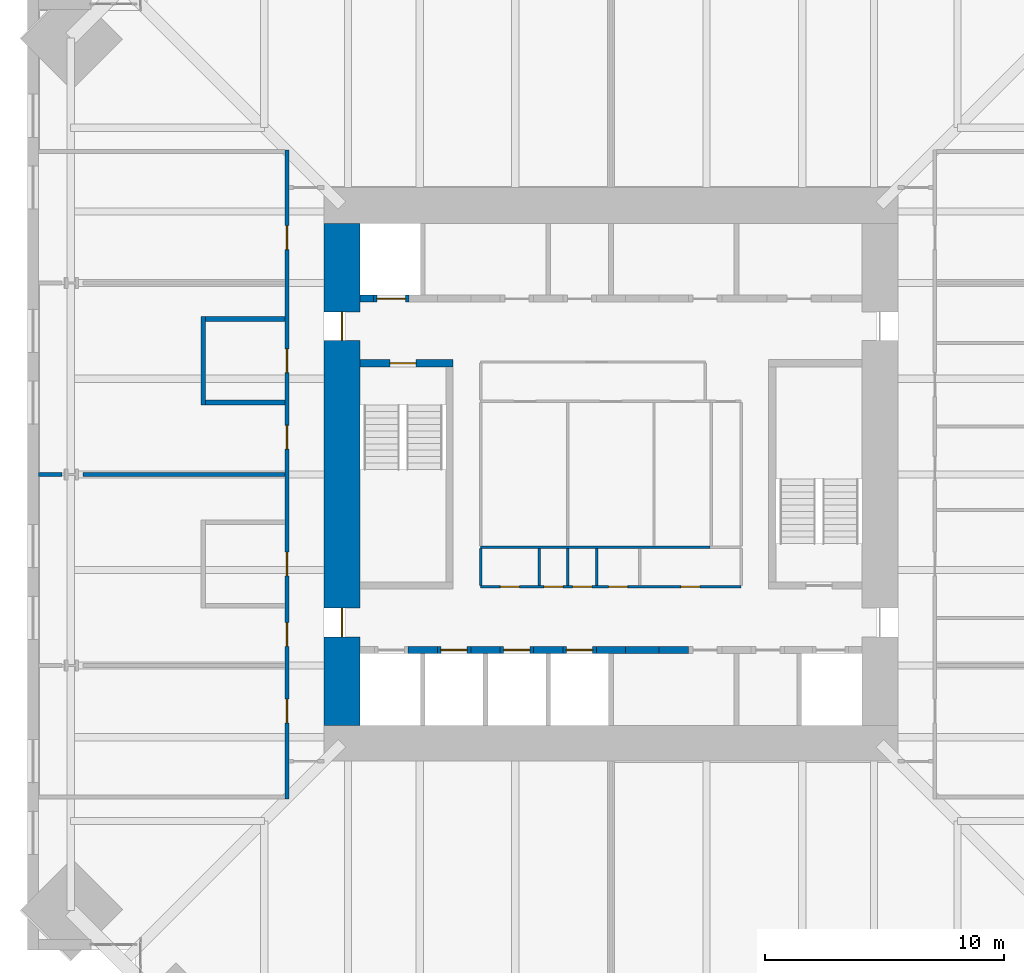
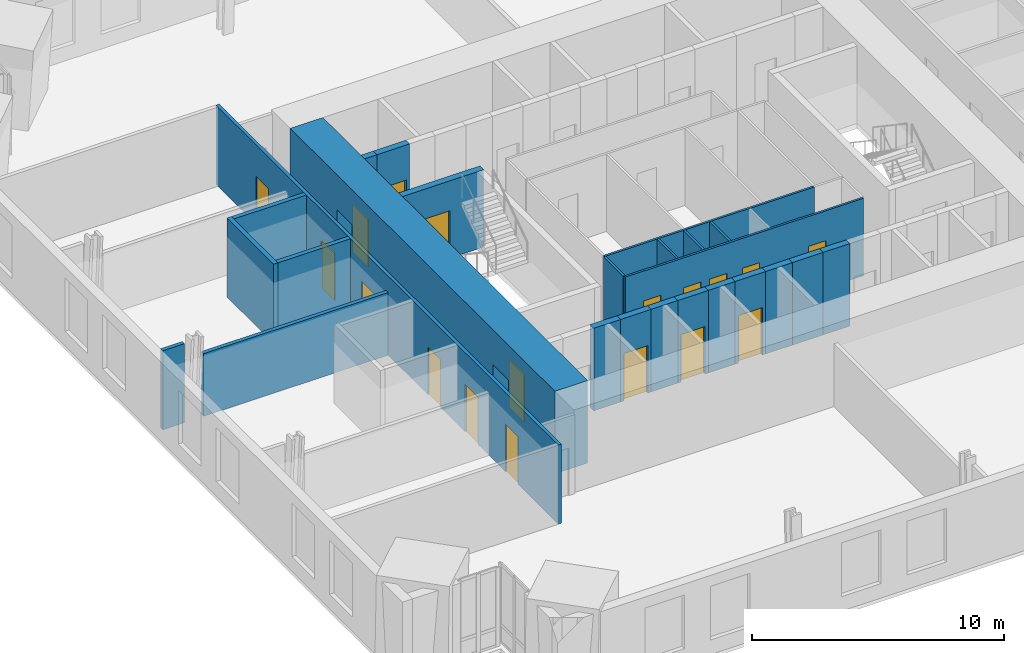
# One storey, part 11 of 15: 25 walls, 18 doors, 18 openings.
"""IFC4 building model written with IfcOpenShell, lengths in metres."""

from ifc_helpers import new_model, si_unit, direction, frame, frame_2d, origin, place, context, subcontext, project, spatial, rectangle, extrude, material, layer, layer_set, type_object, element, fill, save


model = new_model("IFC4")

# Units and contexts
model_context = context("Model", 3, precision=1e-05, world=origin(), true_north=direction((0.0, 1.0)))
body_context = subcontext(model_context, "Body", "Model", "MODEL_VIEW")
ifc_project = project(units=[si_unit("LENGTHUNIT", "METRE"), si_unit("AREAUNIT", "SQUARE_METRE"), si_unit("VOLUMEUNIT", "CUBIC_METRE"), si_unit("PLANEANGLEUNIT", "RADIAN"), si_unit("MASSUNIT", "GRAM", prefix="KILO")], contexts=[model_context])

# Site, building, storey
site_placement = place(None, origin())
site = spatial("IfcSite", under=ifc_project, at=site_placement, CompositionType="ELEMENT")
building_placement = place(site_placement, origin())
building = spatial("IfcBuilding", under=site, at=building_placement, Name="Peilmerk Tower", CompositionType="ELEMENT")
storey_placement = place(building_placement, frame((0.0, 0.0, 205.800048828125)))
storey = spatial("IfcBuildingStorey", under=building, at=storey_placement, Name="L44", CompositionType="ELEMENT", Elevation=205.800048828125)

# Wall, openings, doors
ifc_material_1 = material(Name="Calcium silicate block", Category="masonry")
ifc_layer_1 = layer(ifc_material_1, 0.14990234375)
ifc_layer_set_1 = layer_set([ifc_layer_1], Name="Calcium silicate block")
wall_type_1 = type_object("IfcWallType", Name="IW1 150 corridor partition, EI 60", PredefinedType="PARTITIONING", material=ifc_layer_set_1)
wall_1_placement = place(storey_placement, frame((-13.550048828125, 13.574951171875, 0.0), z_axis=(0.0, 0.0, 1.0), x_axis=(0.0, -1.0, 0.0)))
wall_1 = element("IfcWall", 1, at=wall_1_placement, inside=storey, type_object=wall_type_1, Name="Corridor wall W L44", PredefinedType="PARTITIONING", context=body_context, shape_type="SweptSolid", body=[
    extrude(rectangle(XDim=27.14990234375, YDim=0.14990234375, at=frame_2d((13.574951171875, 0.0))), origin(), (0.0, 0.0, 1.0), 3.829833984375),
])
opening_1_placement = place(wall_1_placement, frame((22.97509765625, 0.0, 0.0)))
opening_1 = element("IfcOpeningElement", 2, at=opening_1_placement, cuts=wall_1, Name="Opening D1", PredefinedType="OPENING", context=body_context, shape_type="SweptSolid", body=[
    extrude(rectangle(XDim=1.0, YDim=2.300048828125, at=frame_2d((0.5, 1.14990234375))), frame((0.0, 0.0849609375, 0.0), z_axis=(0.0, -1.0, 0.0), x_axis=(1.0, 0.0, 0.0)), (0.0, 0.0, 1.0), 0.169921875),
])
opening_2_placement = place(wall_1_placement, frame((19.77490234375, 0.0, 0.0)))
opening_2 = element("IfcOpeningElement", 3, at=opening_2_placement, cuts=wall_1, Name="Opening D1", PredefinedType="OPENING", context=body_context, shape_type="SweptSolid", body=[
    extrude(rectangle(XDim=1.0, YDim=2.300048828125, at=frame_2d((0.5, 1.14990234375))), frame((0.0, 0.0849609375, 0.0), z_axis=(0.0, -1.0, 0.0), x_axis=(1.0, 0.0, 0.0)), (0.0, 0.0, 1.0), 0.169921875),
])
opening_3_placement = place(wall_1_placement, frame((11.52490234375, 0.0, 0.0)))
opening_3 = element("IfcOpeningElement", 4, at=opening_3_placement, cuts=wall_1, Name="Opening D1", PredefinedType="OPENING", context=body_context, shape_type="SweptSolid", body=[
    extrude(rectangle(XDim=1.0, YDim=2.300048828125, at=frame_2d((0.5, 1.14990234375))), frame((0.0, 0.0849609375, 0.0), z_axis=(0.0, -1.0, 0.0), x_axis=(1.0, 0.0, 0.0)), (0.0, 0.0, 1.0), 0.169921875),
])
opening_4_placement = place(wall_1_placement, frame((3.175048828125, 0.0, 0.0)))
opening_4 = element("IfcOpeningElement", 5, at=opening_4_placement, cuts=wall_1, Name="Opening D1", PredefinedType="OPENING", context=body_context, shape_type="SweptSolid", body=[
    extrude(rectangle(XDim=1.0, YDim=2.300048828125, at=frame_2d((0.5, 1.14990234375))), frame((0.0, 0.0849609375, 0.0), z_axis=(0.0, -1.0, 0.0), x_axis=(1.0, 0.0, 0.0)), (0.0, 0.0, 1.0), 0.169921875),
])
opening_5_placement = place(wall_1_placement, frame((16.824951171875, 0.0, 0.0)))
opening_5 = element("IfcOpeningElement", 6, at=opening_5_placement, cuts=wall_1, Name="Opening D1", PredefinedType="OPENING", context=body_context, shape_type="SweptSolid", body=[
    extrude(rectangle(XDim=1.0, YDim=2.300048828125, at=frame_2d((0.5, 1.14990234375))), frame((0.0, 0.0849609375, 0.0), z_axis=(0.0, -1.0, 0.0), x_axis=(1.0, 0.0, 0.0)), (0.0, 0.0, 1.0), 0.169921875),
])
opening_6_placement = place(wall_1_placement, frame((8.324951171875, 0.0, 0.0)))
opening_6 = element("IfcOpeningElement", 7, at=opening_6_placement, cuts=wall_1, Name="Opening D1", PredefinedType="OPENING", context=body_context, shape_type="SweptSolid", body=[
    extrude(rectangle(XDim=1.0, YDim=2.300048828125, at=frame_2d((0.5, 1.14990234375))), frame((0.0, 0.0849609375, 0.0), z_axis=(0.0, -1.0, 0.0), x_axis=(1.0, 0.0, 0.0)), (0.0, 0.0, 1.0), 0.169921875),
])
ifc_material_2 = material(Name="Timber door in steel frame", Category="steel")
door_type_1 = type_object("IfcDoorType", Name="D1 1000x2300 room door, EI2 30", OperationType="SINGLE_SWING_LEFT", PredefinedType="DOOR", material=ifc_material_2)
door_1_placement = place(opening_1_placement, frame((1.0, 0.0, 0.0), z_axis=(0.0, 0.0, 1.0), x_axis=(-1.0, 0.0, 0.0)))
door_1 = element("IfcDoor", 8, at=door_1_placement, inside=storey, type_object=door_type_1, Name="Door Engineering office L44", OperationType="SINGLE_SWING_LEFT", OverallHeight=2.300048828125, OverallWidth=1.0, PredefinedType="DOOR", context=body_context, shape_type="SweptSolid", body=[
    extrude(rectangle(XDim=1.0, YDim=2.300048828125, at=frame_2d((0.5, 1.14990234375))), frame((0.0, 0.02490234375, 0.0), z_axis=(0.0, -1.0, 0.0), x_axis=(1.0, 0.0, 0.0)), (0.0, 0.0, 1.0), 0.050048828125),
])
fill(opening_1, door_1)
door_2_placement = place(opening_2_placement, frame((1.0, 0.0, 0.0), z_axis=(0.0, 0.0, 1.0), x_axis=(-1.0, 0.0, 0.0)))
door_2 = element("IfcDoor", 9, at=door_2_placement, inside=storey, type_object=door_type_1, Name="Door Engineering office L44", OperationType="SINGLE_SWING_LEFT", OverallHeight=2.300048828125, OverallWidth=1.0, PredefinedType="DOOR", context=body_context, shape_type="SweptSolid", body=[
    extrude(rectangle(XDim=1.0, YDim=2.300048828125, at=frame_2d((0.5, 1.14990234375))), frame((0.0, 0.02490234375, 0.0), z_axis=(0.0, -1.0, 0.0), x_axis=(1.0, 0.0, 0.0)), (0.0, 0.0, 1.0), 0.050048828125),
])
fill(opening_2, door_2)
door_3_placement = place(opening_3_placement, frame((1.0, 0.0, 0.0), z_axis=(0.0, 0.0, 1.0), x_axis=(-1.0, 0.0, 0.0)))
door_3 = element("IfcDoor", 10, at=door_3_placement, inside=storey, type_object=door_type_1, Name="Door Engineering office L44", OperationType="SINGLE_SWING_LEFT", OverallHeight=2.300048828125, OverallWidth=1.0, PredefinedType="DOOR", context=body_context, shape_type="SweptSolid", body=[
    extrude(rectangle(XDim=1.0, YDim=2.300048828125, at=frame_2d((0.5, 1.14990234375))), frame((0.0, 0.02490234375, 0.0), z_axis=(0.0, -1.0, 0.0), x_axis=(1.0, 0.0, 0.0)), (0.0, 0.0, 1.0), 0.050048828125),
])
fill(opening_3, door_3)
door_4_placement = place(opening_4_placement, frame((1.0, 0.0, 0.0), z_axis=(0.0, 0.0, 1.0), x_axis=(-1.0, 0.0, 0.0)))
door_4 = element("IfcDoor", 11, at=door_4_placement, inside=storey, type_object=door_type_1, Name="Door Changing room L44", OperationType="SINGLE_SWING_LEFT", OverallHeight=2.300048828125, OverallWidth=1.0, PredefinedType="DOOR", context=body_context, shape_type="SweptSolid", body=[
    extrude(rectangle(XDim=1.0, YDim=2.300048828125, at=frame_2d((0.5, 1.14990234375))), frame((0.0, 0.02490234375, 0.0), z_axis=(0.0, -1.0, 0.0), x_axis=(1.0, 0.0, 0.0)), (0.0, 0.0, 1.0), 0.050048828125),
])
fill(opening_4, door_4)
door_5_placement = place(opening_5_placement, frame((1.0, 0.0, 0.0), z_axis=(0.0, 0.0, 1.0), x_axis=(-1.0, 0.0, 0.0)))
door_5 = element("IfcDoor", 12, at=door_5_placement, inside=storey, type_object=door_type_1, Name="Door Instrument workshop L44", OperationType="SINGLE_SWING_LEFT", OverallHeight=2.300048828125, OverallWidth=1.0, PredefinedType="DOOR", context=body_context, shape_type="SweptSolid", body=[
    extrude(rectangle(XDim=1.0, YDim=2.300048828125, at=frame_2d((0.5, 1.14990234375))), frame((0.0, 0.02490234375, 0.0), z_axis=(0.0, -1.0, 0.0), x_axis=(1.0, 0.0, 0.0)), (0.0, 0.0, 1.0), 0.050048828125),
])
fill(opening_5, door_5)
door_6_placement = place(opening_6_placement, frame((1.0, 0.0, 0.0), z_axis=(0.0, 0.0, 1.0), x_axis=(-1.0, 0.0, 0.0)))
door_6 = element("IfcDoor", 13, at=door_6_placement, inside=storey, type_object=door_type_1, Name="Door Calibration lab L44", OperationType="SINGLE_SWING_LEFT", OverallHeight=2.300048828125, OverallWidth=1.0, PredefinedType="DOOR", context=body_context, shape_type="SweptSolid", body=[
    extrude(rectangle(XDim=1.0, YDim=2.300048828125, at=frame_2d((0.5, 1.14990234375))), frame((0.0, 0.02490234375, 0.0), z_axis=(0.0, -1.0, 0.0), x_axis=(1.0, 0.0, 0.0)), (0.0, 0.0, 1.0), 0.050048828125),
])
fill(opening_6, door_6)

# Walls
ifc_layer_2 = layer(ifc_material_1, 0.199951171875)
ifc_layer_set_2 = layer_set([ifc_layer_2], Name="Calcium silicate block")
wall_type_2 = type_object("IfcWallType", Name="IW2 200 room separating wall, EI 120", PredefinedType="PARTITIONING", material=ifc_layer_set_2)
wall_2_placement = place(storey_placement, frame((-17.050048828125, 2.89990234375, 0.0), z_axis=(0.0, 0.0, 1.0), x_axis=(0.0, 1.0, 0.0)))
element("IfcWall", 14, at=wall_2_placement, inside=storey, type_object=wall_type_2, Name="Room separating wall Calibration lab L44", PredefinedType="PARTITIONING", context=body_context, shape_type="SweptSolid", body=[
    extrude(rectangle(XDim=3.7001953125, YDim=0.199951171875, at=frame_2d((1.85009765625, 0.0))), origin(), (0.0, 0.0, 1.0), 3.829833984375),
])
for number, where, z_axis, x_axis, name in (
    (15, (-13.625, 3.0, 0.0), (0.0, 0.0, 1.0), (-1.0, 0.0, 0.0), "Room separating wall Calibration lab L44"),
    (16, (-13.625, 6.5, 0.0), (0.0, 0.0, 1.0), (-1.0, 0.0, 0.0), "Room separating wall Calibration lab L44"),
):
    element("IfcWall", number, at=place(storey_placement, frame(where, z_axis=z_axis, x_axis=x_axis)), inside=storey, type_object=wall_type_2, Name=name, PredefinedType="PARTITIONING", context=body_context, shape_type="SweptSolid", body=[
        extrude(rectangle(XDim=3.324951171875, YDim=0.199951171875, at=frame_2d((1.66259765625, 0.0))), origin(), (0.0, 0.0, 1.0), 3.829833984375),
    ])

# Wall, opening, door
ifc_material_3 = material(Name="Concrete C35/45", Category="concrete")
ifc_layer_3 = layer(ifc_material_3, 0.300048828125)
ifc_layer_set_3 = layer_set([ifc_layer_3], Name="Concrete C35/45")
wall_type_3 = type_object("IfcWallType", Name="IW3 300 concrete stair enclosure wall, EI 120", PredefinedType="SOLIDWALL", material=ifc_layer_set_3)
wall_3_placement = place(storey_placement, frame((-10.5, 4.64990234375, 0.0), z_axis=(0.0, 0.0, 1.0), x_axis=(1.0, 0.0, 0.0)))
wall_3 = element("IfcWall", 17, at=wall_3_placement, inside=storey, type_object=wall_type_3, Name="Stair 1 enclosure L44", PredefinedType="SOLIDWALL", context=body_context, shape_type="SweptSolid", body=[
    extrude(rectangle(XDim=3.89990234375, YDim=0.300048828125, at=frame_2d((1.949951171875, 0.0))), origin(), (0.0, 0.0, 1.0), 3.75),
])
opening_7_placement = place(wall_3_placement, frame((1.25, 0.0, 0.0)))
opening_7 = element("IfcOpeningElement", 18, at=opening_7_placement, cuts=wall_3, Name="Opening D4", PredefinedType="OPENING", context=body_context, shape_type="SweptSolid", body=[
    extrude(rectangle(XDim=1.10009765625, YDim=2.300048828125, at=frame_2d((0.550048828125, 1.14990234375))), frame((0.0, 0.159912109375, 0.0), z_axis=(0.0, -1.0, 0.0), x_axis=(1.0, 0.0, 0.0)), (0.0, 0.0, 1.0), 0.320068359375),
])
ifc_material_4 = material(Name="Steel door in steel frame", Category="steel")
door_type_2 = type_object("IfcDoorType", Name="D4 1100x2300 stair door, EI2 60", OperationType="SINGLE_SWING_RIGHT", PredefinedType="DOOR", material=ifc_material_4)
door_7_placement = place(opening_7_placement, frame((1.10009765625, 0.0, 0.0), z_axis=(0.0, 0.0, 1.0), x_axis=(-1.0, 0.0, 0.0)))
door_7 = element("IfcDoor", 19, at=door_7_placement, inside=storey, type_object=door_type_2, Name="Stair 1 door L44", OperationType="SINGLE_SWING_RIGHT", OverallHeight=2.300048828125, OverallWidth=1.10009765625, PredefinedType="DOOR", context=body_context, shape_type="SweptSolid", body=[
    extrude(rectangle(XDim=1.10009765625, YDim=2.300048828125, at=frame_2d((0.550048828125, 1.14990234375))), frame((0.0, 0.02490234375, 0.0), z_axis=(0.0, -1.0, 0.0), x_axis=(1.0, 0.0, 0.0)), (0.0, 0.0, 1.0), 0.050048828125),
])
fill(opening_7, door_7)

# Wall
ifc_material_5 = material(Name="Plasterboard on steel studs", Category="steel")
ifc_layer_4 = layer(ifc_material_5, 0.10009765625)
ifc_layer_set_4 = layer_set([ifc_layer_4], Name="Plasterboard on steel studs")
wall_type_4 = type_object("IfcWallType", Name="IW4 100 WC partition", PredefinedType="PARTITIONING", material=ifc_layer_set_4)
wall_4_placement = place(storey_placement, frame((4.14990234375, -3.050048828125, 0.0), z_axis=(0.0, 0.0, 1.0), x_axis=(-1.0, 0.0, 0.0)))
element("IfcWall", 20, at=wall_4_placement, inside=storey, type_object=wall_type_4, Name="WC wall L44", PredefinedType="PARTITIONING", context=body_context, shape_type="SweptSolid", body=[
    extrude(rectangle(XDim=9.599853515625, YDim=0.10009765625, at=frame_2d((4.7998046875, 0.0))), origin(), (0.0, 0.0, 1.0), 3.75),
])

# Wall, openings, doors
ifc_material_6 = material(Name="Calcium silicate board on steel studs", Category="steel")
ifc_layer_5 = layer(ifc_material_6, 0.10009765625)
ifc_layer_set_5 = layer_set([ifc_layer_5], Name="Calcium silicate board on steel studs")
wall_type_5 = type_object("IfcWallType", Name="IW5 100 riser enclosure wall, EI 60", PredefinedType="PARTITIONING", material=ifc_layer_set_5)
wall_5_placement = place(storey_placement, frame((5.449951171875, -4.699951171875, 0.0), z_axis=(0.0, 0.0, 1.0), x_axis=(-1.0, 0.0, 0.0)))
wall_5 = element("IfcWall", 21, at=wall_5_placement, inside=storey, type_object=wall_type_5, Name="Riser wall L44", PredefinedType="PARTITIONING", context=body_context, shape_type="SweptSolid", body=[
    extrude(rectangle(XDim=10.89990234375, YDim=0.10009765625, at=frame_2d((5.449951171875, 0.0))), origin(), (0.0, 0.0, 1.0), 3.75),
])
opening_8_placement = place(wall_5_placement, frame((9.27490234375, 0.0, 0.0)))
opening_8 = element("IfcOpeningElement", 22, at=opening_8_placement, cuts=wall_5, Name="Opening D7", PredefinedType="OPENING", context=body_context, shape_type="SweptSolid", body=[
    extrude(rectangle(XDim=0.800048828125, YDim=2.300048828125, at=frame_2d((0.39990234375, 1.14990234375))), frame((0.0, 0.06005859375, 0.0), z_axis=(0.0, -1.0, 0.0), x_axis=(1.0, 0.0, 0.0)), (0.0, 0.0, 1.0), 0.1201171875),
])
opening_9_placement = place(wall_5_placement, frame((7.449951171875, 0.0, 0.0)))
opening_9 = element("IfcOpeningElement", 23, at=opening_9_placement, cuts=wall_5, Name="Opening D7", PredefinedType="OPENING", context=body_context, shape_type="SweptSolid", body=[
    extrude(rectangle(XDim=0.800048828125, YDim=2.300048828125, at=frame_2d((0.39990234375, 1.14990234375))), frame((0.0, 0.06005859375, 0.0), z_axis=(0.0, -1.0, 0.0), x_axis=(1.0, 0.0, 0.0)), (0.0, 0.0, 1.0), 0.1201171875),
])
opening_10_placement = place(wall_5_placement, frame((6.25, 0.0, 0.0)))
opening_10 = element("IfcOpeningElement", 24, at=opening_10_placement, cuts=wall_5, Name="Opening D7", PredefinedType="OPENING", context=body_context, shape_type="SweptSolid", body=[
    extrude(rectangle(XDim=0.800048828125, YDim=2.300048828125, at=frame_2d((0.39990234375, 1.14990234375))), frame((0.0, 0.06005859375, 0.0), z_axis=(0.0, -1.0, 0.0), x_axis=(1.0, 0.0, 0.0)), (0.0, 0.0, 1.0), 0.1201171875),
])
opening_11_placement = place(wall_5_placement, frame((4.75, 0.0, 0.0)))
opening_11 = element("IfcOpeningElement", 25, at=opening_11_placement, cuts=wall_5, Name="Opening D7", PredefinedType="OPENING", context=body_context, shape_type="SweptSolid", body=[
    extrude(rectangle(XDim=0.800048828125, YDim=2.300048828125, at=frame_2d((0.39990234375, 1.14990234375))), frame((0.0, 0.06005859375, 0.0), z_axis=(0.0, -1.0, 0.0), x_axis=(1.0, 0.0, 0.0)), (0.0, 0.0, 1.0), 0.1201171875),
])
opening_12_placement = place(wall_5_placement, frame((1.72509765625, 0.0, 0.0)))
opening_12 = element("IfcOpeningElement", 26, at=opening_12_placement, cuts=wall_5, Name="Opening D7", PredefinedType="OPENING", context=body_context, shape_type="SweptSolid", body=[
    extrude(rectangle(XDim=0.800048828125, YDim=2.300048828125, at=frame_2d((0.39990234375, 1.14990234375))), frame((0.0, 0.06005859375, 0.0), z_axis=(0.0, -1.0, 0.0), x_axis=(1.0, 0.0, 0.0)), (0.0, 0.0, 1.0), 0.1201171875),
])
door_type_3 = type_object("IfcDoorType", Name="D7 800x2300 riser access door, EI2 60", OperationType="SINGLE_SWING_RIGHT", PredefinedType="DOOR", material=ifc_material_4)
door_8_placement = place(opening_8_placement, frame((0.800048828125, 0.0, 0.0), z_axis=(0.0, 0.0, 1.0), x_axis=(-1.0, 0.0, 0.0)))
door_8 = element("IfcDoor", 27, at=door_8_placement, inside=storey, type_object=door_type_3, Name="Electrical room door L44", OperationType="SINGLE_SWING_RIGHT", OverallHeight=2.300048828125, OverallWidth=0.800048828125, PredefinedType="DOOR", context=body_context, shape_type="SweptSolid", body=[
    extrude(rectangle(XDim=0.800048828125, YDim=2.300048828125, at=frame_2d((0.39990234375, 1.14990234375))), frame((0.0, 0.02490234375, 0.0), z_axis=(0.0, -1.0, 0.0), x_axis=(1.0, 0.0, 0.0)), (0.0, 0.0, 1.0), 0.050048828125),
])
fill(opening_8, door_8)
door_9_placement = place(opening_9_placement, frame((0.800048828125, 0.0, 0.0), z_axis=(0.0, 0.0, 1.0), x_axis=(-1.0, 0.0, 0.0)))
door_9 = element("IfcDoor", 28, at=door_9_placement, inside=storey, type_object=door_type_3, Name="Electrical riser door L44", OperationType="SINGLE_SWING_RIGHT", OverallHeight=2.300048828125, OverallWidth=0.800048828125, PredefinedType="DOOR", context=body_context, shape_type="SweptSolid", body=[
    extrude(rectangle(XDim=0.800048828125, YDim=2.300048828125, at=frame_2d((0.39990234375, 1.14990234375))), frame((0.0, 0.02490234375, 0.0), z_axis=(0.0, -1.0, 0.0), x_axis=(1.0, 0.0, 0.0)), (0.0, 0.0, 1.0), 0.050048828125),
])
fill(opening_9, door_9)
door_10_placement = place(opening_10_placement, frame((0.800048828125, 0.0, 0.0), z_axis=(0.0, 0.0, 1.0), x_axis=(-1.0, 0.0, 0.0)))
door_10 = element("IfcDoor", 29, at=door_10_placement, inside=storey, type_object=door_type_3, Name="Data riser door L44", OperationType="SINGLE_SWING_RIGHT", OverallHeight=2.300048828125, OverallWidth=0.800048828125, PredefinedType="DOOR", context=body_context, shape_type="SweptSolid", body=[
    extrude(rectangle(XDim=0.800048828125, YDim=2.300048828125, at=frame_2d((0.39990234375, 1.14990234375))), frame((0.0, 0.02490234375, 0.0), z_axis=(0.0, -1.0, 0.0), x_axis=(1.0, 0.0, 0.0)), (0.0, 0.0, 1.0), 0.050048828125),
])
fill(opening_10, door_10)
door_11_placement = place(opening_11_placement, frame((0.800048828125, 0.0, 0.0), z_axis=(0.0, 0.0, 1.0), x_axis=(-1.0, 0.0, 0.0)))
door_11 = element("IfcDoor", 30, at=door_11_placement, inside=storey, type_object=door_type_3, Name="Cleaner's cupboard door L44", OperationType="SINGLE_SWING_RIGHT", OverallHeight=2.300048828125, OverallWidth=0.800048828125, PredefinedType="DOOR", context=body_context, shape_type="SweptSolid", body=[
    extrude(rectangle(XDim=0.800048828125, YDim=2.300048828125, at=frame_2d((0.39990234375, 1.14990234375))), frame((0.0, 0.02490234375, 0.0), z_axis=(0.0, -1.0, 0.0), x_axis=(1.0, 0.0, 0.0)), (0.0, 0.0, 1.0), 0.050048828125),
])
fill(opening_11, door_11)
door_12_placement = place(opening_12_placement, frame((0.800048828125, 0.0, 0.0), z_axis=(0.0, 0.0, 1.0), x_axis=(-1.0, 0.0, 0.0)))
door_12 = element("IfcDoor", 31, at=door_12_placement, inside=storey, type_object=door_type_3, Name="Comms room door L44", OperationType="SINGLE_SWING_RIGHT", OverallHeight=2.300048828125, OverallWidth=0.800048828125, PredefinedType="DOOR", context=body_context, shape_type="SweptSolid", body=[
    extrude(rectangle(XDim=0.800048828125, YDim=2.300048828125, at=frame_2d((0.39990234375, 1.14990234375))), frame((0.0, 0.02490234375, 0.0), z_axis=(0.0, -1.0, 0.0), x_axis=(1.0, 0.0, 0.0)), (0.0, 0.0, 1.0), 0.050048828125),
])
fill(opening_12, door_12)

# Walls
for number, where, z_axis, x_axis, name in (
    (32, (-5.449951171875, -3.10009765625, 0.0), (0.0, 0.0, 1.0), (0.0, -1.0, 0.0), "Riser wall L44"),
    (33, (-3.0, -3.10009765625, 0.0), (0.0, 0.0, 1.0), (0.0, -1.0, 0.0), "Riser wall L44"),
    (34, (-1.800048828125, -3.10009765625, 0.0), (0.0, 0.0, 1.0), (0.0, -1.0, 0.0), "Riser wall L44"),
    (35, (-0.60009765625, -3.10009765625, 0.0), (0.0, 0.0, 1.0), (0.0, -1.0, 0.0), "Riser wall L44"),
):
    element("IfcWall", number, at=place(storey_placement, frame(where, z_axis=z_axis, x_axis=x_axis)), inside=storey, type_object=wall_type_5, Name=name, PredefinedType="PARTITIONING", context=body_context, shape_type="SweptSolid", body=[
        extrude(rectangle(XDim=1.5498046875, YDim=0.10009765625, at=frame_2d((0.77490234375, 0.0))), origin(), (0.0, 0.0, 1.0), 3.75),
    ])
ifc_layer_6 = layer(ifc_material_1, 0.175048828125)
ifc_layer_set_6 = layer_set([ifc_layer_6], Name="Calcium silicate block")
wall_type_6 = type_object("IfcWallType", Name="IW8 175 tenant separating wall, EI 60", PredefinedType="PARTITIONING", material=ifc_layer_set_6)
wall_6_placement = place(storey_placement, frame((-13.625, 0.0, 0.0), z_axis=(0.0, 0.0, 1.0), x_axis=(-1.0, 0.0, 0.0)))
element("IfcWall", 36, at=wall_6_placement, inside=storey, type_object=wall_type_6, Name="Tenant separating wall W2 L44", PredefinedType="PARTITIONING", context=body_context, shape_type="SweptSolid", body=[
    extrude(rectangle(XDim=8.4482421875, YDim=0.175048828125, at=frame_2d((4.22412109375, 0.0))), origin(), (0.0, 0.0, 1.0), 3.0400390625),
])
wall_7_placement = place(storey_placement, frame((-22.96240234375, 0.0, 0.0), z_axis=(0.0, 0.0, 1.0), x_axis=(-1.0, 0.0, 0.0)))
element("IfcWall", 37, at=wall_7_placement, inside=storey, type_object=wall_type_6, Name="Tenant separating wall W2b L44", PredefinedType="PARTITIONING", context=body_context, shape_type="SweptSolid", body=[
    extrude(rectangle(XDim=0.987548828125, YDim=0.175048828125, at=frame_2d((0.49365234375, 0.0))), origin(), (0.0, 0.0, 1.0), 3.829833984375),
])

# Wall, opening, door
ifc_layer_7 = layer(ifc_material_1, 0.300048828125)
ifc_layer_set_7 = layer_set([ifc_layer_7], Name="Calcium silicate block")
wall_type_7 = type_object("IfcWallType", Name="SH2 300 lift landing door panel, EI 120", PredefinedType="PARTITIONING", material=ifc_layer_set_7)
wall_8_placement = place(storey_placement, frame((-9.9375, 7.35009765625, 0.0), z_axis=(0.0, 0.0, 1.0), x_axis=(1.0, 0.0, 0.0)))
wall_8 = element("IfcWall", 38, at=wall_8_placement, inside=storey, type_object=wall_type_7, Name="Lift door panel N FL1 L44", PredefinedType="PARTITIONING", context=body_context, shape_type="SweptSolid", body=[
    extrude(rectangle(XDim=1.5, YDim=0.300048828125, at=frame_2d((0.75, 0.0))), origin(), (0.0, 0.0, 1.0), 4.0),
])
opening_13_placement = place(wall_8_placement, frame((0.14990234375, 0.0, 0.0)))
opening_13 = element("IfcOpeningElement", 39, at=opening_13_placement, cuts=wall_8, Name="Opening LD2", PredefinedType="OPENING", context=body_context, shape_type="SweptSolid", body=[
    extrude(rectangle(XDim=1.199951171875, YDim=2.300048828125, at=frame_2d((0.60009765625, 1.14990234375))), frame((0.0, 0.159912109375, 0.0), z_axis=(0.0, -1.0, 0.0), x_axis=(1.0, 0.0, 0.0)), (0.0, 0.0, 1.0), 0.320068359375),
])
ifc_material_7 = material(Name="Stainless steel landing door", Category="steel")
door_type_4 = type_object("IfcDoorType", Name="LD2 1200x2300 lift landing door, sliding, EI2 60", OperationType="SLIDING_TO_LEFT", PredefinedType="DOOR", material=ifc_material_7)
door_13_placement = place(opening_13_placement, frame((1.199951171875, 0.0, 0.0), z_axis=(0.0, 0.0, 1.0), x_axis=(-1.0, 0.0, 0.0)))
door_13 = element("IfcDoor", 40, at=door_13_placement, inside=storey, type_object=door_type_4, Name="Lift landing door FL1 L44", OperationType="SLIDING_TO_LEFT", OverallHeight=2.300048828125, OverallWidth=1.199951171875, PredefinedType="DOOR", context=body_context, shape_type="SweptSolid", body=[
    extrude(rectangle(XDim=1.199951171875, YDim=2.300048828125, at=frame_2d((0.60009765625, 1.14990234375))), frame((0.0, 0.02490234375, 0.0), z_axis=(0.0, -1.0, 0.0), x_axis=(1.0, 0.0, 0.0)), (0.0, 0.0, 1.0), 0.050048828125),
])
fill(opening_13, door_13)

wall_9_placement = place(storey_placement, frame((-7.262451171875, -7.35009765625, 0.0), z_axis=(0.0, 0.0, 1.0), x_axis=(1.0, 0.0, 0.0)))
wall_9 = element("IfcWall", 41, at=wall_9_placement, inside=storey, type_object=wall_type_7, Name="Lift door panel S C3 L44", PredefinedType="PARTITIONING", context=body_context, shape_type="SweptSolid", body=[
    extrude(rectangle(XDim=1.39990234375, YDim=0.300048828125, at=frame_2d((0.699951171875, 0.0))), origin(), (0.0, 0.0, 1.0), 4.0),
])
opening_14_placement = place(wall_9_placement, frame((0.14990234375, 0.0, 0.0)))
opening_14 = element("IfcOpeningElement", 42, at=opening_14_placement, cuts=wall_9, Name="Opening LD1", PredefinedType="OPENING", context=body_context, shape_type="SweptSolid", body=[
    extrude(rectangle(XDim=1.10009765625, YDim=2.300048828125, at=frame_2d((0.550048828125, 1.14990234375))), frame((0.0, 0.159912109375, 0.0), z_axis=(0.0, -1.0, 0.0), x_axis=(1.0, 0.0, 0.0)), (0.0, 0.0, 1.0), 0.320068359375),
])
door_type_5 = type_object("IfcDoorType", Name="LD1 1100x2300 lift landing door, sliding, EI2 60", OperationType="SLIDING_TO_LEFT", PredefinedType="DOOR", material=ifc_material_7)
door_14_placement = place(opening_14_placement, origin())
door_14 = element("IfcDoor", 43, at=door_14_placement, inside=storey, type_object=door_type_5, Name="Lift landing door C3 L44", OperationType="SLIDING_TO_LEFT", OverallHeight=2.300048828125, OverallWidth=1.10009765625, PredefinedType="DOOR", context=body_context, shape_type="SweptSolid", body=[
    extrude(rectangle(XDim=1.10009765625, YDim=2.300048828125, at=frame_2d((0.550048828125, 1.14990234375))), frame((0.0, 0.02490234375, 0.0), z_axis=(0.0, -1.0, 0.0), x_axis=(1.0, 0.0, 0.0)), (0.0, 0.0, 1.0), 0.050048828125),
])
fill(opening_14, door_14)

wall_10_placement = place(storey_placement, frame((-4.637451171875, -7.35009765625, 0.0), z_axis=(0.0, 0.0, 1.0), x_axis=(1.0, 0.0, 0.0)))
wall_10 = element("IfcWall", 44, at=wall_10_placement, inside=storey, type_object=wall_type_7, Name="Lift door panel S C2 L44", PredefinedType="PARTITIONING", context=body_context, shape_type="SweptSolid", body=[
    extrude(rectangle(XDim=1.39990234375, YDim=0.300048828125, at=frame_2d((0.699951171875, 0.0))), origin(), (0.0, 0.0, 1.0), 4.0),
])
opening_15_placement = place(wall_10_placement, frame((0.14990234375, 0.0, 0.0)))
opening_15 = element("IfcOpeningElement", 45, at=opening_15_placement, cuts=wall_10, Name="Opening LD1", PredefinedType="OPENING", context=body_context, shape_type="SweptSolid", body=[
    extrude(rectangle(XDim=1.10009765625, YDim=2.300048828125, at=frame_2d((0.550048828125, 1.14990234375))), frame((0.0, 0.159912109375, 0.0), z_axis=(0.0, -1.0, 0.0), x_axis=(1.0, 0.0, 0.0)), (0.0, 0.0, 1.0), 0.320068359375),
])
door_15_placement = place(opening_15_placement, origin())
door_15 = element("IfcDoor", 46, at=door_15_placement, inside=storey, type_object=door_type_5, Name="Lift landing door C2 L44", OperationType="SLIDING_TO_LEFT", OverallHeight=2.300048828125, OverallWidth=1.10009765625, PredefinedType="DOOR", context=body_context, shape_type="SweptSolid", body=[
    extrude(rectangle(XDim=1.10009765625, YDim=2.300048828125, at=frame_2d((0.550048828125, 1.14990234375))), frame((0.0, 0.02490234375, 0.0), z_axis=(0.0, -1.0, 0.0), x_axis=(1.0, 0.0, 0.0)), (0.0, 0.0, 1.0), 0.050048828125),
])
fill(opening_15, door_15)

wall_11_placement = place(storey_placement, frame((-2.012451171875, -7.35009765625, 0.0), z_axis=(0.0, 0.0, 1.0), x_axis=(1.0, 0.0, 0.0)))
wall_11 = element("IfcWall", 47, at=wall_11_placement, inside=storey, type_object=wall_type_7, Name="Lift door panel S C1 L44", PredefinedType="PARTITIONING", context=body_context, shape_type="SweptSolid", body=[
    extrude(rectangle(XDim=1.39990234375, YDim=0.300048828125, at=frame_2d((0.699951171875, 0.0))), origin(), (0.0, 0.0, 1.0), 4.0),
])
opening_16_placement = place(wall_11_placement, frame((0.14990234375, 0.0, 0.0)))
opening_16 = element("IfcOpeningElement", 48, at=opening_16_placement, cuts=wall_11, Name="Opening LD1", PredefinedType="OPENING", context=body_context, shape_type="SweptSolid", body=[
    extrude(rectangle(XDim=1.10009765625, YDim=2.300048828125, at=frame_2d((0.550048828125, 1.14990234375))), frame((0.0, 0.159912109375, 0.0), z_axis=(0.0, -1.0, 0.0), x_axis=(1.0, 0.0, 0.0)), (0.0, 0.0, 1.0), 0.320068359375),
])
door_16_placement = place(opening_16_placement, origin())
door_16 = element("IfcDoor", 49, at=door_16_placement, inside=storey, type_object=door_type_5, Name="Lift landing door C1 L44", OperationType="SLIDING_TO_LEFT", OverallHeight=2.300048828125, OverallWidth=1.10009765625, PredefinedType="DOOR", context=body_context, shape_type="SweptSolid", body=[
    extrude(rectangle(XDim=1.10009765625, YDim=2.300048828125, at=frame_2d((0.550048828125, 1.14990234375))), frame((0.0, 0.02490234375, 0.0), z_axis=(0.0, -1.0, 0.0), x_axis=(1.0, 0.0, 0.0)), (0.0, 0.0, 1.0), 0.050048828125),
])
fill(opening_16, door_16)

# Wall
wall_12_placement = place(storey_placement, frame((0.612548828125, -7.35009765625, 0.0), z_axis=(0.0, 0.0, 1.0), x_axis=(1.0, 0.0, 0.0)))
element("IfcWall", 50, at=wall_12_placement, inside=storey, type_object=wall_type_7, Name="Lift door panel S B3 L44", PredefinedType="PARTITIONING", context=body_context, shape_type="SweptSolid", body=[
    extrude(rectangle(XDim=1.39990234375, YDim=0.300048828125, at=frame_2d((0.699951171875, 0.0))), origin(), (0.0, 0.0, 1.0), 4.0),
])

# Wall, openings, doors
ifc_material_8 = material(Name="Concrete C55/67", Category="concrete")
ifc_layer_8 = layer(ifc_material_8, 1.5)
ifc_layer_set_8 = layer_set([ifc_layer_8], Name="Concrete C55/67")
wall_type_8 = type_object("IfcWallType", Name="SW1 1500 core wall", PredefinedType="SHEAR", material=ifc_layer_set_8)
wall_13_placement = place(storey_placement, frame((-11.25, -10.5, 0.0), z_axis=(0.0, 0.0, 1.0), x_axis=(0.0, 1.0, 0.0)))
wall_13 = element("IfcWall", 51, at=wall_13_placement, inside=storey, type_object=wall_type_8, Name="Core wall W L44", PredefinedType="SHEAR", context=body_context, shape_type="SweptSolid", body=[
    extrude(rectangle(XDim=21.0, YDim=1.5, at=frame_2d((10.5, 0.0))), origin(), (0.0, 0.0, 1.0), 4.0),
])
opening_17_placement = place(wall_13_placement, frame((16.10009765625, 0.0, 0.0)))
opening_17 = element("IfcOpeningElement", 52, at=opening_17_placement, cuts=wall_13, Name="Opening D3", PredefinedType="OPENING", context=body_context, shape_type="SweptSolid", body=[
    extrude(rectangle(XDim=1.199951171875, YDim=2.300048828125, at=frame_2d((0.60009765625, 1.14990234375))), frame((0.0, 0.760009765625, 0.0), z_axis=(0.0, -1.0, 0.0), x_axis=(1.0, 0.0, 0.0)), (0.0, 0.0, 1.0), 1.52001953125),
])
opening_18_placement = place(wall_13_placement, frame((3.699951171875, 0.0, 0.0)))
opening_18 = element("IfcOpeningElement", 53, at=opening_18_placement, cuts=wall_13, Name="Opening D3", PredefinedType="OPENING", context=body_context, shape_type="SweptSolid", body=[
    extrude(rectangle(XDim=1.199951171875, YDim=2.300048828125, at=frame_2d((0.60009765625, 1.14990234375))), frame((0.0, 0.760009765625, 0.0), z_axis=(0.0, -1.0, 0.0), x_axis=(1.0, 0.0, 0.0)), (0.0, 0.0, 1.0), 1.52001953125),
])
door_type_6 = type_object("IfcDoorType", Name="D3 1200x2300 core door, EI2 60", OperationType="SINGLE_SWING_LEFT", PredefinedType="DOOR", material=ifc_material_4)
door_17_placement = place(opening_17_placement, frame((1.199951171875, 0.0, 0.0), z_axis=(0.0, 0.0, 1.0), x_axis=(-1.0, 0.0, 0.0)))
door_17 = element("IfcDoor", 54, at=door_17_placement, inside=storey, type_object=door_type_6, Name="Core door L44", OperationType="SINGLE_SWING_LEFT", OverallHeight=2.300048828125, OverallWidth=1.199951171875, PredefinedType="DOOR", context=body_context, shape_type="SweptSolid", body=[
    extrude(rectangle(XDim=1.199951171875, YDim=2.300048828125, at=frame_2d((0.60009765625, 1.14990234375))), frame((0.0, 0.02490234375, 0.0), z_axis=(0.0, -1.0, 0.0), x_axis=(1.0, 0.0, 0.0)), (0.0, 0.0, 1.0), 0.050048828125),
])
fill(opening_17, door_17)
door_18_placement = place(opening_18_placement, frame((1.199951171875, 0.0, 0.0), z_axis=(0.0, 0.0, 1.0), x_axis=(-1.0, 0.0, 0.0)))
door_18 = element("IfcDoor", 55, at=door_18_placement, inside=storey, type_object=door_type_6, Name="Core door L44", OperationType="SINGLE_SWING_LEFT", OverallHeight=2.300048828125, OverallWidth=1.199951171875, PredefinedType="DOOR", context=body_context, shape_type="SweptSolid", body=[
    extrude(rectangle(XDim=1.199951171875, YDim=2.300048828125, at=frame_2d((0.60009765625, 1.14990234375))), frame((0.0, 0.02490234375, 0.0), z_axis=(0.0, -1.0, 0.0), x_axis=(1.0, 0.0, 0.0)), (0.0, 0.0, 1.0), 0.050048828125),
])
fill(opening_18, door_18)

# Walls
ifc_layer_9 = layer(ifc_material_8, 0.300048828125)
ifc_layer_set_9 = layer_set([ifc_layer_9], Name="Concrete C55/67")
wall_type_9 = type_object("IfcWallType", Name="SW2 300 lift bank pier", PredefinedType="SHEAR", material=ifc_layer_set_9)
wall_14_placement = place(storey_placement, frame((-10.5, 7.35009765625, 0.0), z_axis=(0.0, 0.0, 1.0), x_axis=(1.0, 0.0, 0.0)))
element("IfcWall", 56, at=wall_14_placement, inside=storey, type_object=wall_type_9, Name="Lift bank pier N L44", PredefinedType="SHEAR", context=body_context, shape_type="SweptSolid", body=[
    extrude(rectangle(XDim=0.5625, YDim=0.300048828125, at=frame_2d((0.28125, 0.0))), origin(), (0.0, 0.0, 1.0), 4.0),
])
for number, where, z_axis, x_axis, name in (
    (57, (-8.487548828125, -7.35009765625, 0.0), (0.0, 0.0, 1.0), (1.0, 0.0, 0.0), "Lift bank pier S L44"),
    (58, (-5.862548828125, -7.35009765625, 0.0), (0.0, 0.0, 1.0), (1.0, 0.0, 0.0), "Lift bank pier S L44"),
    (59, (-3.237548828125, -7.35009765625, 0.0), (0.0, 0.0, 1.0), (1.0, 0.0, 0.0), "Lift bank pier S L44"),
    (60, (-0.612548828125, -7.35009765625, 0.0), (0.0, 0.0, 1.0), (1.0, 0.0, 0.0), "Lift bank pier S L44"),
    (61, (2.012451171875, -7.35009765625, 0.0), (0.0, 0.0, 1.0), (1.0, 0.0, 0.0), "Lift bank pier S L44"),
):
    element("IfcWall", number, at=place(storey_placement, frame(where, z_axis=z_axis, x_axis=x_axis)), inside=storey, type_object=wall_type_9, Name=name, PredefinedType="SHEAR", context=body_context, shape_type="SweptSolid", body=[
        extrude(rectangle(XDim=1.22509765625, YDim=0.300048828125, at=frame_2d((0.612548828125, 0.0))), origin(), (0.0, 0.0, 1.0), 4.0),
    ])

save(model, "model.ifc")
